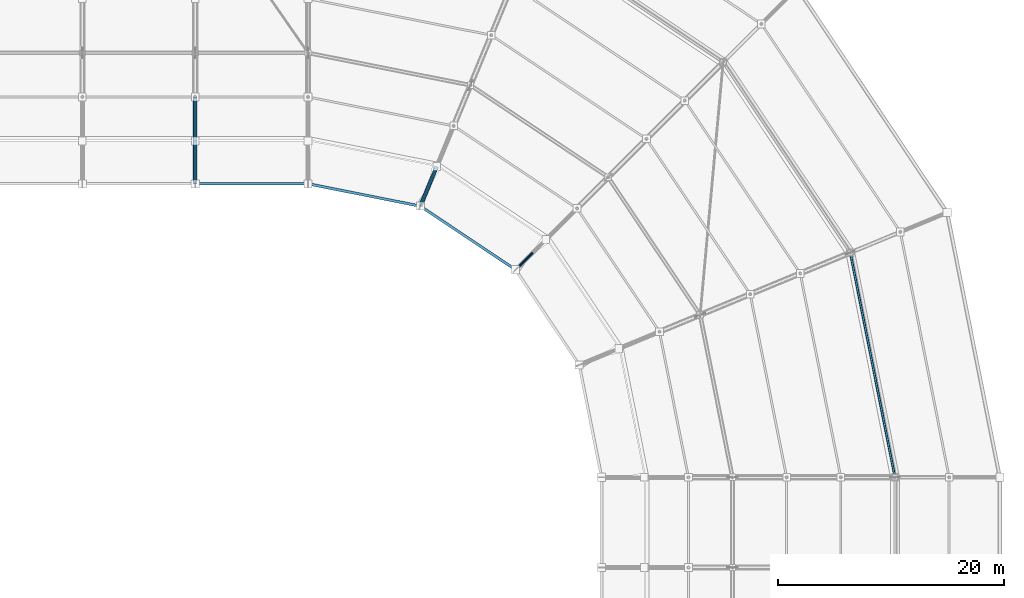
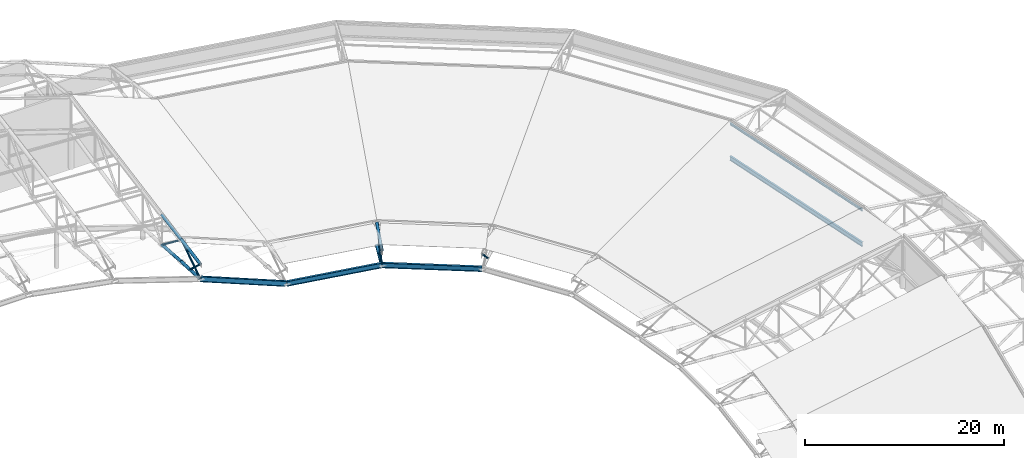
# One storey, part 77 of 146: 12 members, 5 beams.
"""IFC4 building model written with IfcOpenShell, lengths in metres."""

from ifc_helpers import new_model, si_unit, direction, frame, origin, origin_2d, place, context, subcontext, project, spatial, hollow_circle, i_section, extrude, material, material_profile, profile_set, type_object, element, save


model = new_model("IFC4")

# Units and contexts
model_context = context("Model", 3, precision=1e-05, world=origin(), true_north=direction((0.0, 1.0)))
body_context = subcontext(model_context, "Body", "Model", "MODEL_VIEW")
ifc_project = project(units=[si_unit("LENGTHUNIT", "METRE"), si_unit("AREAUNIT", "SQUARE_METRE"), si_unit("VOLUMEUNIT", "CUBIC_METRE"), si_unit("PLANEANGLEUNIT", "RADIAN"), si_unit("MASSUNIT", "GRAM", prefix="KILO")], contexts=[model_context])

# Site, building, storey
site_placement = place(None, origin())
site = spatial("IfcSite", under=ifc_project, at=site_placement, CompositionType="ELEMENT")
building_placement = place(site_placement, origin())
building = spatial("IfcBuilding", under=site, at=building_placement, Name="Candeia Ridge Stadium", CompositionType="ELEMENT")
storey_placement = place(building_placement, frame((0.0, 0.0, 31.800048828125)))
storey = spatial("IfcBuildingStorey", under=building, at=storey_placement, Name="RF", CompositionType="ELEMENT", Elevation=31.800048828125)

# Beams
ifc_material = material(Name="Steel ASTM A572 Grade 50", Category="steel")
ifc_material_profile_1 = material_profile(ifc_material, i_section(OverallWidth=0.14794921875, OverallDepth=0.26611328125, WebThickness=0.007568359375, FlangeThickness=0.012939453125, FilletRadius=0.010986328125, at=origin_2d()), Name="W250x44.8", Category="steel")
ifc_profile_set_1 = profile_set([ifc_material_profile_1], Name="Steel ASTM A572 Grade 50")
beam_type_1 = type_object("IfcBeamType", Name="Canopy Edge Spandrel W250x44.8", PredefinedType="SPANDREL", material=ifc_profile_set_1)
beam_1_placement = place(storey_placement, frame((192.9921875, 95.039306640625, 4.599853515625), z_axis=(-0.195089178874, 0.980785507788, 0.0), x_axis=(-0.980785507788, -0.195089178874, 0.0)))
element("IfcBeam", 1, at=beam_1_placement, inside=storey, type_object=beam_type_1, Name="Roof crown cap ring beam bay 33", PredefinedType="SPANDREL", context=body_context, shape_type="SweptSolid", body=[
    extrude(i_section(OverallWidth=0.14794921875, OverallDepth=0.26611328125, WebThickness=0.007568359375, FlangeThickness=0.012939453125, FilletRadius=0.010986328125, at=origin_2d()), origin(), (0.0, 0.0, 1.0), 20.20947265625),
])
ifc_material_profile_2 = material_profile(ifc_material, i_section(OverallWidth=0.22998046875, OverallDepth=0.616943359375, WebThickness=0.01318359375, FlangeThickness=0.022216796875, FilletRadius=0.014892578125, at=origin_2d()), Name="W610x140", Category="steel")
ifc_profile_set_2 = profile_set([ifc_material_profile_2], Name="Steel ASTM A572 Grade 50")
beam_type_2 = type_object("IfcBeamType", Name="Roof Inner Tension Ring Beam W610x140", PredefinedType="BEAM", material=ifc_profile_set_2)
beam_2_placement = place(storey_placement, frame((140.962890625, 121.0, -1.94482421875), z_axis=(-0.925953474799, 0.0, 0.37763760738), x_axis=(0.0, -1.0, 0.0)))
element("IfcBeam", 2, at=beam_2_placement, inside=storey, type_object=beam_type_2, Name="Roof inner tension ring beam bay 01", PredefinedType="BEAM", context=body_context, shape_type="SweptSolid", body=[
    extrude(i_section(OverallWidth=0.22998046875, OverallDepth=0.616943359375, WebThickness=0.01318359375, FlangeThickness=0.022216796875, FilletRadius=0.014892578125, at=origin_2d()), origin(), (0.0, 0.0, 1.0), 10.719482421875),
])
for number, where, z_axis, x_axis, name in (
    (3, (159.3515625, 113.406982421875, -1.9599609375), (-0.831478882847, 0.555556358418, 0.0), (-0.555556358418, -0.831478882847, 0.0), "Roof inner tension ring beam bay 35"),
    (4, (150.91064453125, 119.028564453125, -1.9599609375), (-0.980783534047, 0.195099101337, 0.0), (-0.195099101337, -0.980783534047, 0.0), "Roof inner tension ring beam bay 36"),
):
    element("IfcBeam", number, at=place(storey_placement, frame(where, z_axis=z_axis, x_axis=x_axis)), inside=storey, type_object=beam_type_2, Name=name, PredefinedType="BEAM", context=body_context, shape_type="SweptSolid", body=[
        extrude(i_section(OverallWidth=0.22998046875, OverallDepth=0.616943359375, WebThickness=0.01318359375, FlangeThickness=0.022216796875, FilletRadius=0.014892578125, at=origin_2d()), origin(), (0.0, 0.0, 1.0), 10.064697265625),
    ])
ifc_material_profile_3 = material_profile(ifc_material, i_section(OverallWidth=0.2119140625, OverallDepth=0.5439453125, WebThickness=0.01318359375, FlangeThickness=0.021240234375, FilletRadius=0.013916015625, at=origin_2d()), Name="W530x123", Category="steel")
ifc_profile_set_3 = profile_set([ifc_material_profile_3], Name="Steel ASTM A572 Grade 50")
beam_type_3 = type_object("IfcBeamType", Name="Roof Perimeter Ring Beam W530x123", PredefinedType="BEAM", material=ifc_profile_set_3)
beam_3_placement = place(storey_placement, frame((192.9921875, 95.039306640625, 0.39990234375), z_axis=(-0.195089178874, 0.980785507788, 0.0), x_axis=(-0.980785507788, -0.195089178874, 0.0)))
element("IfcBeam", 5, at=beam_3_placement, inside=storey, type_object=beam_type_3, Name="Roof perimeter ring beam bay 33", PredefinedType="BEAM", context=body_context, shape_type="SweptSolid", body=[
    extrude(i_section(OverallWidth=0.2119140625, OverallDepth=0.5439453125, WebThickness=0.01318359375, FlangeThickness=0.021240234375, FilletRadius=0.013916015625, at=origin_2d()), origin(), (0.0, 0.0, 1.0), 20.20947265625),
])

# Members
ifc_material_profile_4 = material_profile(ifc_material, hollow_circle(Radius=0.109619140625, WallThickness=0.010009765625, at=origin_2d()), Name="CHS219x10", Category="steel")
ifc_profile_set_4 = profile_set([ifc_material_profile_4], Name="Steel ASTM A572 Grade 50")
member_type_1 = type_object("IfcMemberType", Name="Roof Truss Inner Web Brace CHS219x10", PredefinedType="BRACE", material=ifc_profile_set_4)
member_1_placement = place(storey_placement, frame((131.0, 121.0, 2.118408203125), z_axis=(0.0, 0.835124576935, 0.550060852087), x_axis=(-1.0, 0.0, 0.0)))
element("IfcMember", 6, at=member_1_placement, inside=storey, type_object=member_type_1, Name="Roof cantilever truss RT-02 diagonal web 1", PredefinedType="BRACE", context=body_context, shape_type="SweptSolid", body=[
    extrude(hollow_circle(Radius=0.109619140625, WallThickness=0.010009765625, at=origin_2d()), origin(), (0.0, 0.0, 1.0), 4.55029296875),
])
member_2_placement = place(storey_placement, frame((131.0, 124.800048828125, 4.621337890625), z_axis=(0.0, 0.793887844601, -0.608064215519), x_axis=(-1.0, 0.0, 0.0)))
element("IfcMember", 7, at=member_2_placement, inside=storey, type_object=member_type_1, Name="Roof cantilever truss RT-02 diagonal web 2", PredefinedType="BRACE", context=body_context, shape_type="SweptSolid", body=[
    extrude(hollow_circle(Radius=0.109619140625, WallThickness=0.010009765625, at=origin_2d()), origin(), (0.0, 0.0, 1.0), 4.912353515625),
])
member_3_placement = place(storey_placement, frame((131.0, 123.090087890625, 2.000732421875), z_axis=(0.0, -0.736836090738, 0.676071427725), x_axis=(1.0, 0.0, 0.0)))
element("IfcMember", 8, at=member_3_placement, inside=storey, type_object=member_type_1, Name="Roof cantilever truss RT-02 vertical post 0", PredefinedType="BRACE", context=body_context, shape_type="SweptSolid", body=[
    extrude(hollow_circle(Radius=0.109619140625, WallThickness=0.010009765625, at=origin_2d()), origin(), (0.0, 0.0, 1.0), 2.836669921875),
])
member_4_placement = place(storey_placement, frame((160.862548828125, 114.862548828125, -2.077880859375), z_axis=(-0.521000505983, -0.521000505983, 0.676104241615), x_axis=(0.707106781187, -0.707106781187, 0.0)))
element("IfcMember", 9, at=member_4_placement, inside=storey, type_object=member_type_1, Name="Roof cantilever truss RT-35 vertical post 0", PredefinedType="BRACE", context=body_context, shape_type="SweptSolid", body=[
    extrude(hollow_circle(Radius=0.109619140625, WallThickness=0.010009765625, at=origin_2d()), origin(), (0.0, 0.0, 1.0), 2.83642578125),
])
member_5_placement = place(storey_placement, frame((150.94970703125, 119.020751953125, -1.9599609375), z_axis=(0.319616432528, 0.771543444646, 0.550060041343), x_axis=(-0.923865699332, 0.382716826907, 0.0)))
element("IfcMember", 10, at=member_5_placement, inside=storey, type_object=member_type_1, Name="Roof cantilever truss RT-36 diagonal web 1", PredefinedType="BRACE", context=body_context, shape_type="SweptSolid", body=[
    extrude(hollow_circle(Radius=0.109619140625, WallThickness=0.010009765625, at=origin_2d()), origin(), (0.0, 0.0, 1.0), 4.55029296875),
])
member_6_placement = place(storey_placement, frame((151.74951171875, 120.951904296875, -2.077880859375), z_axis=(-0.281951829017, -0.680781125618, 0.676047502115), x_axis=(0.923897258763, -0.382640634603, 0.0)))
element("IfcMember", 11, at=member_6_placement, inside=storey, type_object=member_type_1, Name="Roof cantilever truss RT-36 vertical post 0", PredefinedType="BRACE", context=body_context, shape_type="SweptSolid", body=[
    extrude(hollow_circle(Radius=0.109619140625, WallThickness=0.010009765625, at=origin_2d()), origin(), (0.0, 0.0, 1.0), 2.836669921875),
])
ifc_material_profile_5 = material_profile(ifc_material, hollow_circle(Radius=0.177734375, WallThickness=0.01416015625, at=origin_2d()), Name="CHS355x14", Category="steel")
ifc_profile_set_5 = profile_set([ifc_material_profile_5], Name="Steel ASTM A572 Grade 50")
member_type_2 = type_object("IfcMemberType", Name="Roof Truss Tip Chord CHS355x14", PredefinedType="CHORD", material=ifc_profile_set_5)
member_7_placement = place(storey_placement, frame((131.0, 121.0, 3.91845703125), z_axis=(0.0, 0.9833205248, 0.181881130157), x_axis=(-1.0, 0.0, 0.0)))
element("IfcMember", 12, at=member_7_placement, inside=storey, type_object=member_type_2, Name="Roof cantilever truss RT-02 top chord 1", PredefinedType="CHORD", context=body_context, shape_type="SweptSolid", body=[
    extrude(hollow_circle(Radius=0.177734375, WallThickness=0.01416015625, at=origin_2d()), origin(), (0.0, 0.0, 1.0), 3.864501953125),
])
member_8_placement = place(storey_placement, frame((131.0, 121.0, 2.118408203125), z_axis=(0.0, 0.998416425934, -0.05625513688), x_axis=(-1.0, 0.0, 0.0)))
element("IfcMember", 13, at=member_8_placement, inside=storey, type_object=member_type_2, Name="Roof cantilever truss RT-02 bottom chord 1", PredefinedType="CHORD", context=body_context, shape_type="SweptSolid", body=[
    extrude(hollow_circle(Radius=0.177734375, WallThickness=0.01416015625, at=origin_2d()), origin(), (0.0, 0.0, 1.0), 3.80615234375),
])
member_9_placement = place(storey_placement, frame((131.0, 124.800048828125, 4.621337890625), z_axis=(0.0, 0.985492511851, 0.169718911988), x_axis=(-1.0, 0.0, 0.0)))
element("IfcMember", 14, at=member_9_placement, inside=storey, type_object=member_type_2, Name="Roof cantilever truss RT-02 top chord 2", PredefinedType="CHORD", context=body_context, shape_type="SweptSolid", body=[
    extrude(hollow_circle(Radius=0.177734375, WallThickness=0.01416015625, at=origin_2d()), origin(), (0.0, 0.0, 1.0), 3.957275390625),
])
member_10_placement = place(storey_placement, frame((131.0, 124.800048828125, 1.904296875), z_axis=(0.0, 0.997611667068, -0.069072148728), x_axis=(-1.0, 0.0, 0.0)))
element("IfcMember", 15, at=member_10_placement, inside=storey, type_object=member_type_2, Name="Roof cantilever truss RT-02 bottom chord 2", PredefinedType="CHORD", context=body_context, shape_type="SweptSolid", body=[
    extrude(hollow_circle(Radius=0.177734375, WallThickness=0.01416015625, at=origin_2d()), origin(), (0.0, 0.0, 1.0), 3.9091796875),
])
member_11_placement = place(storey_placement, frame((150.94970703125, 119.020751953125, -0.16015625), z_axis=(0.376329012529, 0.908445727744, 0.181941842552), x_axis=(-0.923865699332, 0.382716826907, 0.0)))
element("IfcMember", 16, at=member_11_placement, inside=storey, type_object=member_type_2, Name="Roof cantilever truss RT-36 top chord 1", PredefinedType="CHORD", context=body_context, shape_type="SweptSolid", body=[
    extrude(hollow_circle(Radius=0.177734375, WallThickness=0.01416015625, at=origin_2d()), origin(), (0.0, 0.0, 1.0), 3.864501953125),
])
member_12_placement = place(storey_placement, frame((150.94970703125, 119.020751953125, -1.9599609375), z_axis=(0.382109389407, 0.922399365398, -0.056318959862), x_axis=(-0.923865699332, 0.382716826907, 0.0)))
element("IfcMember", 17, at=member_12_placement, inside=storey, type_object=member_type_2, Name="Roof cantilever truss RT-36 bottom chord 1", PredefinedType="CHORD", context=body_context, shape_type="SweptSolid", body=[
    extrude(hollow_circle(Radius=0.177734375, WallThickness=0.01416015625, at=origin_2d()), origin(), (0.0, 0.0, 1.0), 3.80615234375),
])

save(model, "model.ifc")
